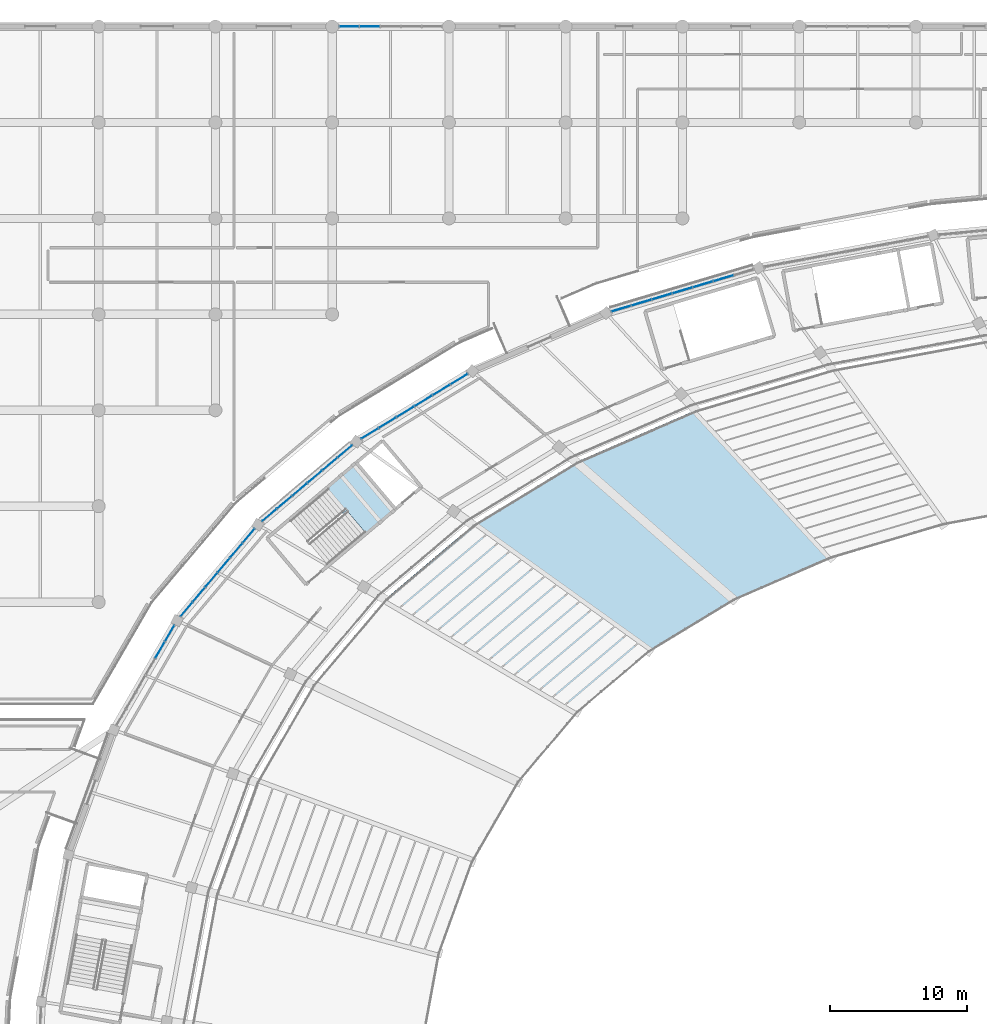
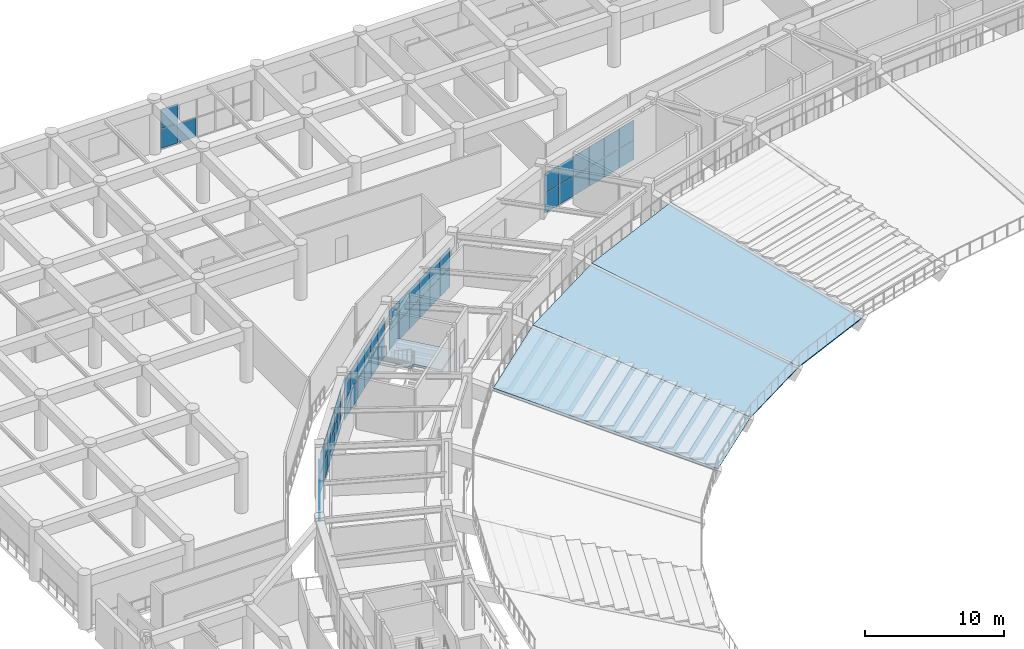
# One storey, part 84 of 137: 55 plates, 4 slabs, 7 elements without a shape of their own.
"""IFC4 building model written with IfcOpenShell, lengths in metres."""

from ifc_helpers import new_model, si_unit, direction, frame, origin, origin_2d, place, context, subcontext, project, spatial, polyline, rectangle, outline, extrude, material, layer, layer_set, type_object, element, aggregate, save


model = new_model("IFC4")

# Units and contexts
model_context = context("Model", 3, precision=1e-05, world=origin(), true_north=direction((0.0, 1.0)))
body_context = subcontext(model_context, "Body", "Model", "MODEL_VIEW")
ifc_project = project(units=[si_unit("LENGTHUNIT", "METRE"), si_unit("AREAUNIT", "SQUARE_METRE"), si_unit("VOLUMEUNIT", "CUBIC_METRE"), si_unit("PLANEANGLEUNIT", "RADIAN"), si_unit("MASSUNIT", "GRAM", prefix="KILO")], contexts=[model_context])

# Site, building, storey
site_placement = place(None, origin())
site = spatial("IfcSite", under=ifc_project, at=site_placement, CompositionType="ELEMENT")
building_placement = place(site_placement, origin())
building = spatial("IfcBuilding", under=site, at=building_placement, Name="Mphavela Belvedere Stadium", CompositionType="ELEMENT")
storey_placement = place(building_placement, frame((0.0, 0.0, 19.199951171875)))
storey = spatial("IfcBuildingStorey", under=building, at=storey_placement, Name="L04", CompositionType="ELEMENT", Elevation=19.199951171875)

# Curtain wall, plates
ifc_material_1 = material(Name="Anodised bronze unitised curtain wall framing")
ifc_layer_1 = layer(ifc_material_1, 0.205078125)
ifc_layer_set_1 = layer_set([ifc_layer_1], Name="Anodised bronze unitised curtain wall framing")
curtain_wall_type_1 = type_object("IfcCurtainWallType", Name="CW-UNIT-06", PredefinedType="USERDEFINED", material=ifc_layer_set_1)
curtain_wall_1_placement = place(storey_placement, origin())
curtain_wall_1 = element("IfcCurtainWall", 1, at=curtain_wall_1_placement, inside=storey, type_object=curtain_wall_type_1, Name="Belvedere colonnade curtain wall L04-16", ObjectType="UNITISED CURTAIN WALL", PredefinedType="USERDEFINED")
ifc_material_2 = material(Name="Solar-control double glazing", Category="glass")
ifc_layer_2 = layer(ifc_material_2, 0.031982421875)
ifc_layer_set_2 = layer_set([ifc_layer_2], Name="Solar-control double glazing")
plate_type = type_object("IfcPlateType", Name="CWP-SOLAR-GLASS", PredefinedType="CURTAIN_PANEL", material=ifc_layer_set_2)
plate_1_placement = place(storey_placement, frame((62.621826171875, 155.632080078125, 0.06005859375), z_axis=(0.0, 0.0, 1.0), x_axis=(-0.958657951671, -0.284560945489, 0.0)))
plate_1 = element("IfcPlate", 2, at=plate_1_placement, type_object=plate_type, Name="CW-06 panel 2.1", PredefinedType="CURTAIN_PANEL", context=body_context, shape_type="SweptSolid", body=[
    extrude(rectangle(XDim=1.4951171875, YDim=0.031982421875, at=origin_2d()), origin(), (0.0, 0.0, 1.0), 1.695068359375),
])
plate_2_placement = place(storey_placement, frame((62.621826171875, 155.632080078125, 1.81494140625), z_axis=(0.0, 0.0, 1.0), x_axis=(-0.958657951671, -0.284560945489, 0.0)))
plate_2 = element("IfcPlate", 3, at=plate_2_placement, type_object=plate_type, Name="CW-06 panel 2.2", PredefinedType="CURTAIN_PANEL", context=body_context, shape_type="SweptSolid", body=[
    extrude(rectangle(XDim=1.4951171875, YDim=0.031982421875, at=origin_2d()), origin(), (0.0, 0.0, 1.0), 1.695068359375),
])
plate_3_placement = place(storey_placement, frame((61.126220703125, 155.18798828125, 0.06005859375), z_axis=(0.0, 0.0, 1.0), x_axis=(-0.958657951671, -0.284560945489, 0.0)))
plate_3 = element("IfcPlate", 4, at=plate_3_placement, type_object=plate_type, Name="CW-06 panel 3.1", PredefinedType="CURTAIN_PANEL", context=body_context, shape_type="SweptSolid", body=[
    extrude(rectangle(XDim=1.4951171875, YDim=0.031982421875, at=origin_2d()), origin(), (0.0, 0.0, 1.0), 1.695068359375),
])
plate_4_placement = place(storey_placement, frame((61.126220703125, 155.18798828125, 1.81494140625), z_axis=(0.0, 0.0, 1.0), x_axis=(-0.958657951671, -0.284560945489, 0.0)))
plate_4 = element("IfcPlate", 5, at=plate_4_placement, type_object=plate_type, Name="CW-06 panel 3.2", PredefinedType="CURTAIN_PANEL", context=body_context, shape_type="SweptSolid", body=[
    extrude(rectangle(XDim=1.4951171875, YDim=0.031982421875, at=origin_2d()), origin(), (0.0, 0.0, 1.0), 1.695068359375),
])
plate_5_placement = place(storey_placement, frame((59.630615234375, 154.744140625, 0.06005859375), z_axis=(0.0, 0.0, 1.0), x_axis=(-0.958657951671, -0.284560945489, 0.0)))
plate_5 = element("IfcPlate", 6, at=plate_5_placement, type_object=plate_type, Name="CW-06 panel 4.1", PredefinedType="CURTAIN_PANEL", context=body_context, shape_type="SweptSolid", body=[
    extrude(rectangle(XDim=1.4951171875, YDim=0.031982421875, at=origin_2d()), origin(), (0.0, 0.0, 1.0), 1.695068359375),
])
plate_6_placement = place(storey_placement, frame((59.630615234375, 154.744140625, 1.81494140625), z_axis=(0.0, 0.0, 1.0), x_axis=(-0.958657951671, -0.284560945489, 0.0)))
plate_6 = element("IfcPlate", 7, at=plate_6_placement, type_object=plate_type, Name="CW-06 panel 4.2", PredefinedType="CURTAIN_PANEL", context=body_context, shape_type="SweptSolid", body=[
    extrude(rectangle(XDim=1.4951171875, YDim=0.031982421875, at=origin_2d()), origin(), (0.0, 0.0, 1.0), 1.695068359375),
])
plate_7_placement = place(storey_placement, frame((58.135009765625, 154.300048828125, 0.06005859375), z_axis=(0.0, 0.0, 1.0), x_axis=(-0.958657951671, -0.284560945489, 0.0)))
plate_7 = element("IfcPlate", 8, at=plate_7_placement, type_object=plate_type, Name="CW-06 panel 5.1", PredefinedType="CURTAIN_PANEL", context=body_context, shape_type="SweptSolid", body=[
    extrude(rectangle(XDim=1.4951171875, YDim=0.031982421875, at=origin_2d()), origin(), (0.0, 0.0, 1.0), 1.695068359375),
])
plate_8_placement = place(storey_placement, frame((58.135009765625, 154.300048828125, 1.81494140625), z_axis=(0.0, 0.0, 1.0), x_axis=(-0.958657951671, -0.284560945489, 0.0)))
plate_8 = element("IfcPlate", 9, at=plate_8_placement, type_object=plate_type, Name="CW-06 panel 5.2", PredefinedType="CURTAIN_PANEL", context=body_context, shape_type="SweptSolid", body=[
    extrude(rectangle(XDim=1.4951171875, YDim=0.031982421875, at=origin_2d()), origin(), (0.0, 0.0, 1.0), 1.695068359375),
])
plate_9_placement = place(storey_placement, frame((56.639404296875, 153.856201171875, 0.06005859375), z_axis=(0.0, 0.0, 1.0), x_axis=(-0.958657951671, -0.284560945489, 0.0)))
plate_9 = element("IfcPlate", 10, at=plate_9_placement, type_object=plate_type, Name="CW-06 panel 6.1", PredefinedType="CURTAIN_PANEL", context=body_context, shape_type="SweptSolid", body=[
    extrude(rectangle(XDim=1.4951171875, YDim=0.031982421875, at=origin_2d()), origin(), (0.0, 0.0, 1.0), 1.695068359375),
])
plate_10_placement = place(storey_placement, frame((56.639404296875, 153.856201171875, 1.81494140625), z_axis=(0.0, 0.0, 1.0), x_axis=(-0.958657951671, -0.284560945489, 0.0)))
plate_10 = element("IfcPlate", 11, at=plate_10_placement, type_object=plate_type, Name="CW-06 panel 6.2", PredefinedType="CURTAIN_PANEL", context=body_context, shape_type="SweptSolid", body=[
    extrude(rectangle(XDim=1.4951171875, YDim=0.031982421875, at=origin_2d()), origin(), (0.0, 0.0, 1.0), 1.695068359375),
])
plate_11_placement = place(storey_placement, frame((55.159423828125, 153.4169921875, 0.06005859375), z_axis=(0.0, 0.0, 1.0), x_axis=(-0.958657951671, -0.284560945489, 0.0)))
plate_11 = element("IfcPlate", 12, at=plate_11_placement, type_object=plate_type, Name="CW-06 panel 7.1", PredefinedType="CURTAIN_PANEL", context=body_context, shape_type="SweptSolid", body=[
    extrude(rectangle(XDim=1.462646484375, YDim=0.031982421875, at=origin_2d()), origin(), (0.0, 0.0, 1.0), 1.695068359375),
])
plate_12_placement = place(storey_placement, frame((55.159423828125, 153.4169921875, 1.81494140625), z_axis=(0.0, 0.0, 1.0), x_axis=(-0.958657951671, -0.284560945489, 0.0)))
plate_12 = element("IfcPlate", 13, at=plate_12_placement, type_object=plate_type, Name="CW-06 panel 7.2", PredefinedType="CURTAIN_PANEL", context=body_context, shape_type="SweptSolid", body=[
    extrude(rectangle(XDim=1.462646484375, YDim=0.031982421875, at=origin_2d()), origin(), (0.0, 0.0, 1.0), 1.695068359375),
])
aggregate(curtain_wall_1, [plate_1, plate_2, plate_3, plate_4, plate_5, plate_6, plate_7, plate_8, plate_9, plate_10, plate_11, plate_12])

ifc_material_3 = material(Name="Anodised bronze unitised curtain wall framing")
ifc_layer_3 = layer(ifc_material_3, 0.179931640625)
ifc_layer_set_3 = layer_set([ifc_layer_3], Name="Anodised bronze unitised curtain wall framing")
curtain_wall_type_2 = type_object("IfcCurtainWallType", Name="CW-UNIT-01", PredefinedType="USERDEFINED", material=ifc_layer_set_3)
curtain_wall_2_placement = place(storey_placement, origin())
curtain_wall_2 = element("IfcCurtainWall", 14, at=curtain_wall_2_placement, inside=storey, type_object=curtain_wall_type_2, Name="Belvedere colonnade curtain wall L04-18", ObjectType="UNITISED CURTAIN WALL", PredefinedType="USERDEFINED")
plate_13_placement = place(storey_placement, frame((43.337158203125, 148.27294921875, 0.06005859375), z_axis=(0.0, 0.0, 1.0), x_axis=(-0.854327323226, -0.519735341101, 0.0)))
plate_13 = element("IfcPlate", 15, at=plate_13_placement, type_object=plate_type, Name="CW-01 panel 1.1", PredefinedType="CURTAIN_PANEL", context=body_context, shape_type="SweptSolid", body=[
    extrude(rectangle(XDim=1.436767578125, YDim=0.031982421875, at=origin_2d()), origin(), (0.0, 0.0, 1.0), 1.695068359375),
])
plate_14_placement = place(storey_placement, frame((43.337158203125, 148.27294921875, 1.81494140625), z_axis=(0.0, 0.0, 1.0), x_axis=(-0.854327323226, -0.519735341101, 0.0)))
plate_14 = element("IfcPlate", 16, at=plate_14_placement, type_object=plate_type, Name="CW-01 panel 1.2", PredefinedType="CURTAIN_PANEL", context=body_context, shape_type="SweptSolid", body=[
    extrude(rectangle(XDim=1.436767578125, YDim=0.031982421875, at=origin_2d()), origin(), (0.0, 0.0, 1.0), 1.695068359375),
])
plate_15_placement = place(storey_placement, frame((42.040283203125, 147.48388671875, 0.06005859375), z_axis=(0.0, 0.0, 1.0), x_axis=(-0.854327323226, -0.519735341101, 0.0)))
plate_15 = element("IfcPlate", 17, at=plate_15_placement, type_object=plate_type, Name="CW-01 panel 2.1", PredefinedType="CURTAIN_PANEL", context=body_context, shape_type="SweptSolid", body=[
    extrude(rectangle(XDim=1.46923828125, YDim=0.031982421875, at=origin_2d()), origin(), (0.0, 0.0, 1.0), 1.695068359375),
])
plate_16_placement = place(storey_placement, frame((42.040283203125, 147.48388671875, 1.81494140625), z_axis=(0.0, 0.0, 1.0), x_axis=(-0.854327323226, -0.519735341101, 0.0)))
plate_16 = element("IfcPlate", 18, at=plate_16_placement, type_object=plate_type, Name="CW-01 panel 2.2", PredefinedType="CURTAIN_PANEL", context=body_context, shape_type="SweptSolid", body=[
    extrude(rectangle(XDim=1.46923828125, YDim=0.031982421875, at=origin_2d()), origin(), (0.0, 0.0, 1.0), 1.695068359375),
])
plate_17_placement = place(storey_placement, frame((40.7294921875, 146.6865234375, 0.06005859375), z_axis=(0.0, 0.0, 1.0), x_axis=(-0.854327323226, -0.519735341101, 0.0)))
plate_17 = element("IfcPlate", 19, at=plate_17_placement, type_object=plate_type, Name="CW-01 panel 3.1", PredefinedType="CURTAIN_PANEL", context=body_context, shape_type="SweptSolid", body=[
    extrude(rectangle(XDim=1.46923828125, YDim=0.031982421875, at=origin_2d()), origin(), (0.0, 0.0, 1.0), 1.695068359375),
])
plate_18_placement = place(storey_placement, frame((40.7294921875, 146.6865234375, 1.81494140625), z_axis=(0.0, 0.0, 1.0), x_axis=(-0.854327323226, -0.519735341101, 0.0)))
plate_18 = element("IfcPlate", 20, at=plate_18_placement, type_object=plate_type, Name="CW-01 panel 3.2", PredefinedType="CURTAIN_PANEL", context=body_context, shape_type="SweptSolid", body=[
    extrude(rectangle(XDim=1.46923828125, YDim=0.031982421875, at=origin_2d()), origin(), (0.0, 0.0, 1.0), 1.695068359375),
])
plate_19_placement = place(storey_placement, frame((39.418701171875, 145.888916015625, 0.06005859375), z_axis=(0.0, 0.0, 1.0), x_axis=(-0.854327323226, -0.519735341101, 0.0)))
plate_19 = element("IfcPlate", 21, at=plate_19_placement, type_object=plate_type, Name="CW-01 panel 4.1", PredefinedType="CURTAIN_PANEL", context=body_context, shape_type="SweptSolid", body=[
    extrude(rectangle(XDim=1.46923828125, YDim=0.031982421875, at=origin_2d()), origin(), (0.0, 0.0, 1.0), 1.695068359375),
])
plate_20_placement = place(storey_placement, frame((39.418701171875, 145.888916015625, 1.81494140625), z_axis=(0.0, 0.0, 1.0), x_axis=(-0.854327323226, -0.519735341101, 0.0)))
plate_20 = element("IfcPlate", 22, at=plate_20_placement, type_object=plate_type, Name="CW-01 panel 4.2", PredefinedType="CURTAIN_PANEL", context=body_context, shape_type="SweptSolid", body=[
    extrude(rectangle(XDim=1.46923828125, YDim=0.031982421875, at=origin_2d()), origin(), (0.0, 0.0, 1.0), 1.695068359375),
])
plate_21_placement = place(storey_placement, frame((38.10791015625, 145.091552734375, 0.06005859375), z_axis=(0.0, 0.0, 1.0), x_axis=(-0.854327323226, -0.519735341101, 0.0)))
plate_21 = element("IfcPlate", 23, at=plate_21_placement, type_object=plate_type, Name="CW-01 panel 5.1", PredefinedType="CURTAIN_PANEL", context=body_context, shape_type="SweptSolid", body=[
    extrude(rectangle(XDim=1.46923828125, YDim=0.031982421875, at=origin_2d()), origin(), (0.0, 0.0, 1.0), 1.695068359375),
])
plate_22_placement = place(storey_placement, frame((38.10791015625, 145.091552734375, 1.81494140625), z_axis=(0.0, 0.0, 1.0), x_axis=(-0.854327323226, -0.519735341101, 0.0)))
plate_22 = element("IfcPlate", 24, at=plate_22_placement, type_object=plate_type, Name="CW-01 panel 5.2", PredefinedType="CURTAIN_PANEL", context=body_context, shape_type="SweptSolid", body=[
    extrude(rectangle(XDim=1.46923828125, YDim=0.031982421875, at=origin_2d()), origin(), (0.0, 0.0, 1.0), 1.695068359375),
])
plate_23_placement = place(storey_placement, frame((36.81103515625, 144.302490234375, 0.06005859375), z_axis=(0.0, 0.0, 1.0), x_axis=(-0.854327323226, -0.519735341101, 0.0)))
plate_23 = element("IfcPlate", 25, at=plate_23_placement, type_object=plate_type, Name="CW-01 panel 6.1", PredefinedType="CURTAIN_PANEL", context=body_context, shape_type="SweptSolid", body=[
    extrude(rectangle(XDim=1.436767578125, YDim=0.031982421875, at=origin_2d()), origin(), (0.0, 0.0, 1.0), 1.695068359375),
])
plate_24_placement = place(storey_placement, frame((36.81103515625, 144.302490234375, 1.81494140625), z_axis=(0.0, 0.0, 1.0), x_axis=(-0.854327323226, -0.519735341101, 0.0)))
plate_24 = element("IfcPlate", 26, at=plate_24_placement, type_object=plate_type, Name="CW-01 panel 6.2", PredefinedType="CURTAIN_PANEL", context=body_context, shape_type="SweptSolid", body=[
    extrude(rectangle(XDim=1.436767578125, YDim=0.031982421875, at=origin_2d()), origin(), (0.0, 0.0, 1.0), 1.695068359375),
])
aggregate(curtain_wall_2, [plate_13, plate_14, plate_15, plate_16, plate_17, plate_18, plate_19, plate_20, plate_21, plate_22, plate_23, plate_24])

ifc_material_4 = material(Name="Anodised bronze unitised curtain wall framing")
ifc_layer_4 = layer(ifc_material_4, 0.18505859375)
ifc_layer_set_4 = layer_set([ifc_layer_4], Name="Anodised bronze unitised curtain wall framing")
curtain_wall_type_3 = type_object("IfcCurtainWallType", Name="CW-UNIT-02", PredefinedType="USERDEFINED", material=ifc_layer_set_4)
curtain_wall_3_placement = place(storey_placement, origin())
curtain_wall_3 = element("IfcCurtainWall", 27, at=curtain_wall_3_placement, inside=storey, type_object=curtain_wall_type_3, Name="Belvedere colonnade curtain wall L04-19", ObjectType="UNITISED CURTAIN WALL", PredefinedType="USERDEFINED")
plate_25_placement = place(storey_placement, frame((35.01171875, 143.011962890625, 0.06005859375), z_axis=(0.0, 0.0, 1.0), x_axis=(-0.764253429051, -0.644916038089, 0.0)))
plate_25 = element("IfcPlate", 28, at=plate_25_placement, type_object=plate_type, Name="CW-02 panel 1.1", PredefinedType="CURTAIN_PANEL", context=body_context, shape_type="SweptSolid", body=[
    extrude(rectangle(XDim=1.352783203125, YDim=0.031982421875, at=origin_2d()), origin(), (0.0, 0.0, 1.0), 1.695068359375),
])
plate_26_placement = place(storey_placement, frame((35.01171875, 143.011962890625, 1.81494140625), z_axis=(0.0, 0.0, 1.0), x_axis=(-0.764253429051, -0.644916038089, 0.0)))
plate_26 = element("IfcPlate", 29, at=plate_26_placement, type_object=plate_type, Name="CW-02 panel 1.2", PredefinedType="CURTAIN_PANEL", context=body_context, shape_type="SweptSolid", body=[
    extrude(rectangle(XDim=1.352783203125, YDim=0.031982421875, at=origin_2d()), origin(), (0.0, 0.0, 1.0), 1.695068359375),
])
plate_27_placement = place(storey_placement, frame((33.915771484375, 142.087158203125, 0.06005859375), z_axis=(0.0, 0.0, 1.0), x_axis=(-0.764253429051, -0.644916038089, 0.0)))
plate_27 = element("IfcPlate", 30, at=plate_27_placement, type_object=plate_type, Name="CW-02 panel 2.1", PredefinedType="CURTAIN_PANEL", context=body_context, shape_type="SweptSolid", body=[
    extrude(rectangle(XDim=1.38525390625, YDim=0.031982421875, at=origin_2d()), origin(), (0.0, 0.0, 1.0), 1.695068359375),
])
plate_28_placement = place(storey_placement, frame((33.915771484375, 142.087158203125, 1.81494140625), z_axis=(0.0, 0.0, 1.0), x_axis=(-0.764253429051, -0.644916038089, 0.0)))
plate_28 = element("IfcPlate", 31, at=plate_28_placement, type_object=plate_type, Name="CW-02 panel 2.2", PredefinedType="CURTAIN_PANEL", context=body_context, shape_type="SweptSolid", body=[
    extrude(rectangle(XDim=1.38525390625, YDim=0.031982421875, at=origin_2d()), origin(), (0.0, 0.0, 1.0), 1.695068359375),
])
plate_29_placement = place(storey_placement, frame((32.807373046875, 141.151611328125, 0.06005859375), z_axis=(0.0, 0.0, 1.0), x_axis=(-0.764253429051, -0.644916038089, 0.0)))
plate_29 = element("IfcPlate", 32, at=plate_29_placement, type_object=plate_type, Name="CW-02 panel 3.1", PredefinedType="CURTAIN_PANEL", context=body_context, shape_type="SweptSolid", body=[
    extrude(rectangle(XDim=1.38525390625, YDim=0.031982421875, at=origin_2d()), origin(), (0.0, 0.0, 1.0), 1.695068359375),
])
plate_30_placement = place(storey_placement, frame((32.807373046875, 141.151611328125, 1.81494140625), z_axis=(0.0, 0.0, 1.0), x_axis=(-0.764253429051, -0.644916038089, 0.0)))
plate_30 = element("IfcPlate", 33, at=plate_30_placement, type_object=plate_type, Name="CW-02 panel 3.2", PredefinedType="CURTAIN_PANEL", context=body_context, shape_type="SweptSolid", body=[
    extrude(rectangle(XDim=1.38525390625, YDim=0.031982421875, at=origin_2d()), origin(), (0.0, 0.0, 1.0), 1.695068359375),
])
plate_31_placement = place(storey_placement, frame((31.69873046875, 140.21630859375, 0.06005859375), z_axis=(0.0, 0.0, 1.0), x_axis=(-0.764253429051, -0.644916038089, 0.0)))
plate_31 = element("IfcPlate", 34, at=plate_31_placement, type_object=plate_type, Name="CW-02 panel 4.1", PredefinedType="CURTAIN_PANEL", context=body_context, shape_type="SweptSolid", body=[
    extrude(rectangle(XDim=1.38525390625, YDim=0.031982421875, at=origin_2d()), origin(), (0.0, 0.0, 1.0), 1.695068359375),
])
plate_32_placement = place(storey_placement, frame((31.69873046875, 140.21630859375, 1.81494140625), z_axis=(0.0, 0.0, 1.0), x_axis=(-0.764253429051, -0.644916038089, 0.0)))
plate_32 = element("IfcPlate", 35, at=plate_32_placement, type_object=plate_type, Name="CW-02 panel 4.2", PredefinedType="CURTAIN_PANEL", context=body_context, shape_type="SweptSolid", body=[
    extrude(rectangle(XDim=1.38525390625, YDim=0.031982421875, at=origin_2d()), origin(), (0.0, 0.0, 1.0), 1.695068359375),
])
plate_33_placement = place(storey_placement, frame((30.59033203125, 139.281005859375, 0.06005859375), z_axis=(0.0, 0.0, 1.0), x_axis=(-0.764253429051, -0.644916038089, 0.0)))
plate_33 = element("IfcPlate", 36, at=plate_33_placement, type_object=plate_type, Name="CW-02 panel 5.1", PredefinedType="CURTAIN_PANEL", context=body_context, shape_type="SweptSolid", body=[
    extrude(rectangle(XDim=1.38525390625, YDim=0.031982421875, at=origin_2d()), origin(), (0.0, 0.0, 1.0), 1.695068359375),
])
plate_34_placement = place(storey_placement, frame((30.59033203125, 139.281005859375, 1.81494140625), z_axis=(0.0, 0.0, 1.0), x_axis=(-0.764253429051, -0.644916038089, 0.0)))
plate_34 = element("IfcPlate", 37, at=plate_34_placement, type_object=plate_type, Name="CW-02 panel 5.2", PredefinedType="CURTAIN_PANEL", context=body_context, shape_type="SweptSolid", body=[
    extrude(rectangle(XDim=1.38525390625, YDim=0.031982421875, at=origin_2d()), origin(), (0.0, 0.0, 1.0), 1.695068359375),
])
plate_35_placement = place(storey_placement, frame((29.494384765625, 138.35595703125, 0.06005859375), z_axis=(0.0, 0.0, 1.0), x_axis=(-0.764253429051, -0.644916038089, 0.0)))
plate_35 = element("IfcPlate", 38, at=plate_35_placement, type_object=plate_type, Name="CW-02 panel 6.1", PredefinedType="CURTAIN_PANEL", context=body_context, shape_type="SweptSolid", body=[
    extrude(rectangle(XDim=1.352783203125, YDim=0.031982421875, at=origin_2d()), origin(), (0.0, 0.0, 1.0), 1.695068359375),
])
plate_36_placement = place(storey_placement, frame((29.494384765625, 138.35595703125, 1.81494140625), z_axis=(0.0, 0.0, 1.0), x_axis=(-0.764253429051, -0.644916038089, 0.0)))
plate_36 = element("IfcPlate", 39, at=plate_36_placement, type_object=plate_type, Name="CW-02 panel 6.2", PredefinedType="CURTAIN_PANEL", context=body_context, shape_type="SweptSolid", body=[
    extrude(rectangle(XDim=1.352783203125, YDim=0.031982421875, at=origin_2d()), origin(), (0.0, 0.0, 1.0), 1.695068359375),
])
aggregate(curtain_wall_3, [plate_25, plate_26, plate_27, plate_28, plate_29, plate_30, plate_31, plate_32, plate_33, plate_34, plate_35, plate_36])

ifc_material_5 = material(Name="Anodised bronze unitised curtain wall framing")
ifc_layer_5 = layer(ifc_material_5, 0.18994140625)
ifc_layer_set_5 = layer_set([ifc_layer_5], Name="Anodised bronze unitised curtain wall framing")
curtain_wall_type_4 = type_object("IfcCurtainWallType", Name="CW-UNIT-03", PredefinedType="USERDEFINED", material=ifc_layer_set_5)
curtain_wall_4_placement = place(storey_placement, origin())
curtain_wall_4 = element("IfcCurtainWall", 40, at=curtain_wall_4_placement, inside=storey, type_object=curtain_wall_type_4, Name="Belvedere colonnade curtain wall L04-20", ObjectType="UNITISED CURTAIN WALL", PredefinedType="USERDEFINED")
plate_37_placement = place(storey_placement, frame((27.97216796875, 136.8369140625, 0.06005859375), z_axis=(0.0, 0.0, 1.0), x_axis=(-0.645175294774, -0.764034579723, 0.0)))
plate_37 = element("IfcPlate", 41, at=plate_37_placement, type_object=plate_type, Name="CW-03 panel 1.1", PredefinedType="CURTAIN_PANEL", context=body_context, shape_type="SweptSolid", body=[
    extrude(rectangle(XDim=1.311767578125, YDim=0.031982421875, at=origin_2d()), origin(), (0.0, 0.0, 1.0), 1.695068359375),
])
plate_38_placement = place(storey_placement, frame((27.97216796875, 136.8369140625, 1.81494140625), z_axis=(0.0, 0.0, 1.0), x_axis=(-0.645175294774, -0.764034579723, 0.0)))
plate_38 = element("IfcPlate", 42, at=plate_38_placement, type_object=plate_type, Name="CW-03 panel 1.2", PredefinedType="CURTAIN_PANEL", context=body_context, shape_type="SweptSolid", body=[
    extrude(rectangle(XDim=1.311767578125, YDim=0.031982421875, at=origin_2d()), origin(), (0.0, 0.0, 1.0), 1.695068359375),
])
plate_39_placement = place(storey_placement, frame((27.073486328125, 135.7724609375, 0.06005859375), z_axis=(0.0, 0.0, 1.0), x_axis=(-0.645175294774, -0.764034579723, 0.0)))
plate_39 = element("IfcPlate", 43, at=plate_39_placement, type_object=plate_type, Name="CW-03 panel 2.1", PredefinedType="CURTAIN_PANEL", context=body_context, shape_type="SweptSolid", body=[
    extrude(rectangle(XDim=1.34423828125, YDim=0.031982421875, at=origin_2d()), origin(), (0.0, 0.0, 1.0), 1.695068359375),
])
plate_40_placement = place(storey_placement, frame((27.073486328125, 135.7724609375, 1.81494140625), z_axis=(0.0, 0.0, 1.0), x_axis=(-0.645175294774, -0.764034579723, 0.0)))
plate_40 = element("IfcPlate", 44, at=plate_40_placement, type_object=plate_type, Name="CW-03 panel 2.2", PredefinedType="CURTAIN_PANEL", context=body_context, shape_type="SweptSolid", body=[
    extrude(rectangle(XDim=1.34423828125, YDim=0.031982421875, at=origin_2d()), origin(), (0.0, 0.0, 1.0), 1.695068359375),
])
plate_41_placement = place(storey_placement, frame((26.164306640625, 134.69580078125, 0.06005859375), z_axis=(0.0, 0.0, 1.0), x_axis=(-0.645175294774, -0.764034579723, 0.0)))
plate_41 = element("IfcPlate", 45, at=plate_41_placement, type_object=plate_type, Name="CW-03 panel 3.1", PredefinedType="CURTAIN_PANEL", context=body_context, shape_type="SweptSolid", body=[
    extrude(rectangle(XDim=1.34423828125, YDim=0.031982421875, at=origin_2d()), origin(), (0.0, 0.0, 1.0), 1.695068359375),
])
plate_42_placement = place(storey_placement, frame((26.164306640625, 134.69580078125, 1.81494140625), z_axis=(0.0, 0.0, 1.0), x_axis=(-0.645175294774, -0.764034579723, 0.0)))
plate_42 = element("IfcPlate", 46, at=plate_42_placement, type_object=plate_type, Name="CW-03 panel 3.2", PredefinedType="CURTAIN_PANEL", context=body_context, shape_type="SweptSolid", body=[
    extrude(rectangle(XDim=1.34423828125, YDim=0.031982421875, at=origin_2d()), origin(), (0.0, 0.0, 1.0), 1.695068359375),
])
plate_43_placement = place(storey_placement, frame((25.2548828125, 133.619140625, 0.06005859375), z_axis=(0.0, 0.0, 1.0), x_axis=(-0.645175294774, -0.764034579723, 0.0)))
plate_43 = element("IfcPlate", 47, at=plate_43_placement, type_object=plate_type, Name="CW-03 panel 4.1", PredefinedType="CURTAIN_PANEL", context=body_context, shape_type="SweptSolid", body=[
    extrude(rectangle(XDim=1.34423828125, YDim=0.031982421875, at=origin_2d()), origin(), (0.0, 0.0, 1.0), 1.695068359375),
])
plate_44_placement = place(storey_placement, frame((25.2548828125, 133.619140625, 1.81494140625), z_axis=(0.0, 0.0, 1.0), x_axis=(-0.645175294774, -0.764034579723, 0.0)))
plate_44 = element("IfcPlate", 48, at=plate_44_placement, type_object=plate_type, Name="CW-03 panel 4.2", PredefinedType="CURTAIN_PANEL", context=body_context, shape_type="SweptSolid", body=[
    extrude(rectangle(XDim=1.34423828125, YDim=0.031982421875, at=origin_2d()), origin(), (0.0, 0.0, 1.0), 1.695068359375),
])
plate_45_placement = place(storey_placement, frame((24.345703125, 132.54248046875, 0.06005859375), z_axis=(0.0, 0.0, 1.0), x_axis=(-0.645175294774, -0.764034579723, 0.0)))
plate_45 = element("IfcPlate", 49, at=plate_45_placement, type_object=plate_type, Name="CW-03 panel 5.1", PredefinedType="CURTAIN_PANEL", context=body_context, shape_type="SweptSolid", body=[
    extrude(rectangle(XDim=1.34423828125, YDim=0.031982421875, at=origin_2d()), origin(), (0.0, 0.0, 1.0), 1.695068359375),
])
plate_46_placement = place(storey_placement, frame((24.345703125, 132.54248046875, 1.81494140625), z_axis=(0.0, 0.0, 1.0), x_axis=(-0.645175294774, -0.764034579723, 0.0)))
plate_46 = element("IfcPlate", 50, at=plate_46_placement, type_object=plate_type, Name="CW-03 panel 5.2", PredefinedType="CURTAIN_PANEL", context=body_context, shape_type="SweptSolid", body=[
    extrude(rectangle(XDim=1.34423828125, YDim=0.031982421875, at=origin_2d()), origin(), (0.0, 0.0, 1.0), 1.695068359375),
])
plate_47_placement = place(storey_placement, frame((23.447021484375, 131.478271484375, 0.06005859375), z_axis=(0.0, 0.0, 1.0), x_axis=(-0.645175294774, -0.764034579723, 0.0)))
plate_47 = element("IfcPlate", 51, at=plate_47_placement, type_object=plate_type, Name="CW-03 panel 6.1", PredefinedType="CURTAIN_PANEL", context=body_context, shape_type="SweptSolid", body=[
    extrude(rectangle(XDim=1.311767578125, YDim=0.031982421875, at=origin_2d()), origin(), (0.0, 0.0, 1.0), 1.695068359375),
])
plate_48_placement = place(storey_placement, frame((23.447021484375, 131.478271484375, 1.81494140625), z_axis=(0.0, 0.0, 1.0), x_axis=(-0.645175294774, -0.764034579723, 0.0)))
plate_48 = element("IfcPlate", 52, at=plate_48_placement, type_object=plate_type, Name="CW-03 panel 6.2", PredefinedType="CURTAIN_PANEL", context=body_context, shape_type="SweptSolid", body=[
    extrude(rectangle(XDim=1.311767578125, YDim=0.031982421875, at=origin_2d()), origin(), (0.0, 0.0, 1.0), 1.695068359375),
])
aggregate(curtain_wall_4, [plate_37, plate_38, plate_39, plate_40, plate_41, plate_42, plate_43, plate_44, plate_45, plate_46, plate_47, plate_48])

ifc_material_6 = material(Name="Anodised bronze unitised curtain wall framing")
ifc_layer_6 = layer(ifc_material_6, 0.195068359375)
ifc_layer_set_6 = layer_set([ifc_layer_6], Name="Anodised bronze unitised curtain wall framing")
curtain_wall_type_5 = type_object("IfcCurtainWallType", Name="CW-UNIT-04", PredefinedType="USERDEFINED", material=ifc_layer_set_6)
curtain_wall_5_placement = place(storey_placement, origin())
curtain_wall_5 = element("IfcCurtainWall", 53, at=curtain_wall_5_placement, inside=storey, type_object=curtain_wall_type_5, Name="Belvedere colonnade curtain wall L04-21", ObjectType="UNITISED CURTAIN WALL", PredefinedType="USERDEFINED")
plate_49_placement = place(storey_placement, frame((22.2197265625, 129.7314453125, 0.06005859375), z_axis=(0.0, 0.0, 1.0), x_axis=(-0.500555998906, -0.865704159606, 0.0)))
plate_49 = element("IfcPlate", 54, at=plate_49_placement, type_object=plate_type, Name="CW-04 panel 1.1", PredefinedType="CURTAIN_PANEL", context=body_context, shape_type="SweptSolid", body=[
    extrude(rectangle(XDim=1.32275390625, YDim=0.031982421875, at=origin_2d()), origin(), (0.0, 0.0, 1.0), 1.695068359375),
])
plate_50_placement = place(storey_placement, frame((22.2197265625, 129.7314453125, 1.81494140625), z_axis=(0.0, 0.0, 1.0), x_axis=(-0.500555998906, -0.865704159606, 0.0)))
plate_50 = element("IfcPlate", 55, at=plate_50_placement, type_object=plate_type, Name="CW-04 panel 1.2", PredefinedType="CURTAIN_PANEL", context=body_context, shape_type="SweptSolid", body=[
    extrude(rectangle(XDim=1.32275390625, YDim=0.031982421875, at=origin_2d()), origin(), (0.0, 0.0, 1.0), 1.695068359375),
])
plate_51_placement = place(storey_placement, frame((21.51708984375, 128.51611328125, 0.06005859375), z_axis=(0.0, 0.0, 1.0), x_axis=(-0.500555998906, -0.865704159606, 0.0)))
plate_51 = element("IfcPlate", 56, at=plate_51_placement, type_object=plate_type, Name="CW-04 panel 2.1", PredefinedType="CURTAIN_PANEL", context=body_context, shape_type="SweptSolid", body=[
    extrude(rectangle(XDim=1.355224609375, YDim=0.031982421875, at=origin_2d()), origin(), (0.0, 0.0, 1.0), 1.695068359375),
])
plate_52_placement = place(storey_placement, frame((21.51708984375, 128.51611328125, 1.81494140625), z_axis=(0.0, 0.0, 1.0), x_axis=(-0.500555998906, -0.865704159606, 0.0)))
plate_52 = element("IfcPlate", 57, at=plate_52_placement, type_object=plate_type, Name="CW-04 panel 2.2", PredefinedType="CURTAIN_PANEL", context=body_context, shape_type="SweptSolid", body=[
    extrude(rectangle(XDim=1.355224609375, YDim=0.031982421875, at=origin_2d()), origin(), (0.0, 0.0, 1.0), 1.695068359375),
])
aggregate(curtain_wall_5, [plate_49, plate_50, plate_51, plate_52])

curtain_wall_6_placement = place(storey_placement, origin())
curtain_wall_6 = element("IfcCurtainWall", 58, at=curtain_wall_6_placement, inside=storey, type_object=curtain_wall_type_5, Name="North Mast and Ceremonial End Forecourt gallery curtain wall L04-05", ObjectType="UNITISED CURTAIN WALL", PredefinedType="USERDEFINED")
plate_53_placement = place(storey_placement, frame((35.320556640625, 174.0, 0.06005859375), z_axis=(0.0, 0.0, 1.0), x_axis=(1.0, 0.0, 0.0)))
plate_53 = element("IfcPlate", 59, at=plate_53_placement, type_object=plate_type, Name="CW-04 panel 1.1", PredefinedType="CURTAIN_PANEL", context=body_context, shape_type="SweptSolid", body=[
    extrude(rectangle(XDim=1.4169921875, YDim=0.031982421875, at=origin_2d()), origin(), (0.0, 0.0, 1.0), 1.68994140625),
])
plate_54_placement = place(storey_placement, frame((35.320556640625, 174.0, 1.81005859375), z_axis=(0.0, 0.0, 1.0), x_axis=(1.0, 0.0, 0.0)))
plate_54 = element("IfcPlate", 60, at=plate_54_placement, type_object=plate_type, Name="CW-04 panel 1.2", PredefinedType="CURTAIN_PANEL", context=body_context, shape_type="SweptSolid", body=[
    extrude(rectangle(XDim=1.4169921875, YDim=0.031982421875, at=origin_2d()), origin(), (0.0, 0.0, 1.0), 1.68994140625),
])
plate_55_placement = place(storey_placement, frame((36.81884765625, 174.0, 0.06005859375), z_axis=(0.0, 0.0, 1.0), x_axis=(1.0, 0.0, 0.0)))
plate_55 = element("IfcPlate", 61, at=plate_55_placement, type_object=plate_type, Name="CW-04 panel 2.1", PredefinedType="CURTAIN_PANEL", context=body_context, shape_type="SweptSolid", body=[
    extrude(rectangle(XDim=1.44970703125, YDim=0.031982421875, at=origin_2d()), origin(), (0.0, 0.0, 1.0), 1.68994140625),
])
aggregate(curtain_wall_6, [plate_53, plate_54, plate_55])

# Stair, slab
ifc_material_7 = material(Name="Concrete C40/50", Category="concrete")
stair_type = type_object("IfcStairType", Name="STR-HALF-TURN-2", PredefinedType="HALF_TURN_STAIR", material=ifc_material_7)
stair_placement = place(storey_placement, origin())
stair = element("IfcStair", 62, at=stair_placement, inside=storey, type_object=stair_type, Name="L04 Escape stair core C05", PredefinedType="HALF_TURN_STAIR")
ifc_material_8 = material(Name="Concrete C40/50", Category="concrete")
ifc_layer_7 = layer(ifc_material_8, 0.199951171875)
ifc_layer_set_7 = layer_set([ifc_layer_7], Name="Concrete C40/50")
slab_type_1 = type_object("IfcSlabType", Name="SLB-LANDING-200", PredefinedType="LANDING", material=ifc_layer_set_7)
slab_1_placement = place(storey_placement, frame((0.0, 0.0, 2.199951171875)))
slab_1 = element("IfcSlab", 63, at=slab_1_placement, type_object=slab_type_1, Name="ST-C05 landing 1", PredefinedType="LANDING", context=body_context, shape_type="SweptSolid", body=[
    extrude(outline(polyline([(36.562744140625, 136.99560546875), (38.611572265625, 138.724609375), (35.754638671875, 142.1103515625), (33.434326171875, 140.15234375), (34.86279296875, 138.45947265625), (35.13427734375, 138.6884765625), (36.562744140625, 136.99560546875)])), origin(), (0.0, 0.0, 1.0), 0.2001953125),
])
aggregate(stair, [slab_1])

# Slabs
ifc_material_9 = material(Name="Precast concrete C45/55", Category="concrete")
ifc_layer_8 = layer(ifc_material_9, 0.25)
ifc_layer_set_8 = layer_set([ifc_layer_8], Name="Precast concrete C45/55")
slab_type_2 = type_object("IfcSlabType", Name="SLB-TIER-UPPER", PredefinedType="USERDEFINED", material=ifc_layer_set_8)
slab_2_placement = place(storey_placement, frame((70.504150390625, 135.259033203125, -3.75), z_axis=(0.181043516058, -0.417651973305, 0.890387597896), x_axis=(-0.917506392858, -0.397721031711, -4.38405e-07)))
element("IfcSlab", 64, at=slab_2_placement, inside=storey, type_object=slab_type_2, Name="Upper seating tier slab L04-17", ObjectType="SEATING TIER", PredefinedType="USERDEFINED", context=body_context, shape_type="SweptSolid", body=[
    extrude(outline(polyline([(0.0, 0.0), (7.766412495493663, -4.440892098500626e-16), (14.261318787917725, -15.377762549643226), (4.779156413327874, -15.377745937574787), (0.0, 0.0)])), origin(), (0.0, 0.0, -1.0), 0.25),
])
slab_3_placement = place(storey_placement, frame((63.37841796875, 132.170166015625, -3.75), z_axis=(0.226551553649, -0.372390181398, 0.899999970187), x_axis=(-0.854326477415, -0.519736731401, 4.594551e-06)))
element("IfcSlab", 65, at=slab_3_placement, inside=storey, type_object=slab_type_2, Name="Upper seating tier slab L04-18", ObjectType="SEATING TIER", PredefinedType="USERDEFINED", context=body_context, shape_type="SweptSolid", body=[
    extrude(outline(polyline([(0.0, 0.0), (7.230249505563686, -4.440892098500626e-16), (13.38426207244686, -16.058958025546808), (4.556733439499255, -16.059127284525168), (0.0, 0.0)])), origin(), (0.0, 0.0, -1.0), 0.25),
])
slab_4_placement = place(storey_placement, frame((57.201416015625, 128.412353515625, -3.75), z_axis=(0.26936235005, -0.319213787463, 0.908595885017), x_axis=(-0.76424909441, -0.644921174734, -8.583252e-06)))
element("IfcSlab", 66, at=slab_4_placement, inside=storey, type_object=slab_type_2, Name="Upper seating tier slab L04-19", ObjectType="SEATING TIER", PredefinedType="USERDEFINED", context=body_context, shape_type="SweptSolid", body=[
    extrude(outline(polyline([(0.0, 0.0), (6.8624829349822045, 4.440892098500626e-16), (12.236996630674179, -16.75964020480697), (3.858362612977673, -16.75932699972067), (0.0, 0.0)])), origin(), (0.0, 0.0, -1.0), 0.25),
])

save(model, "model.ifc")
